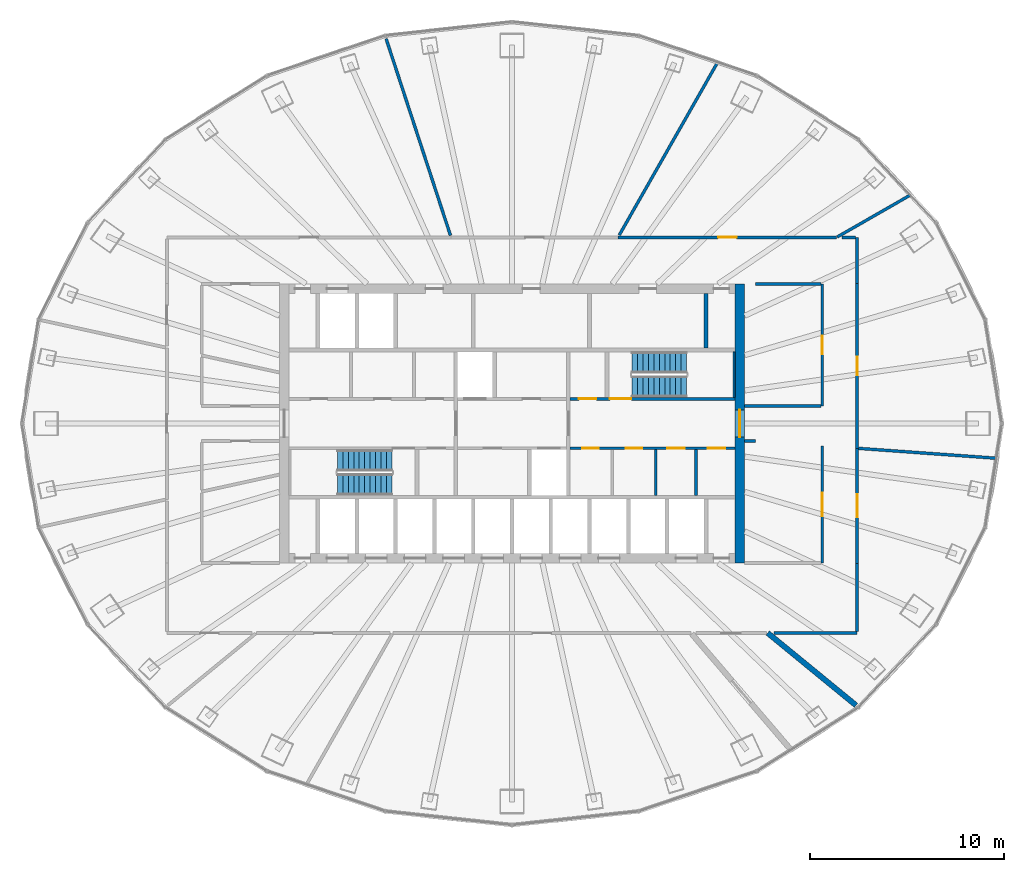
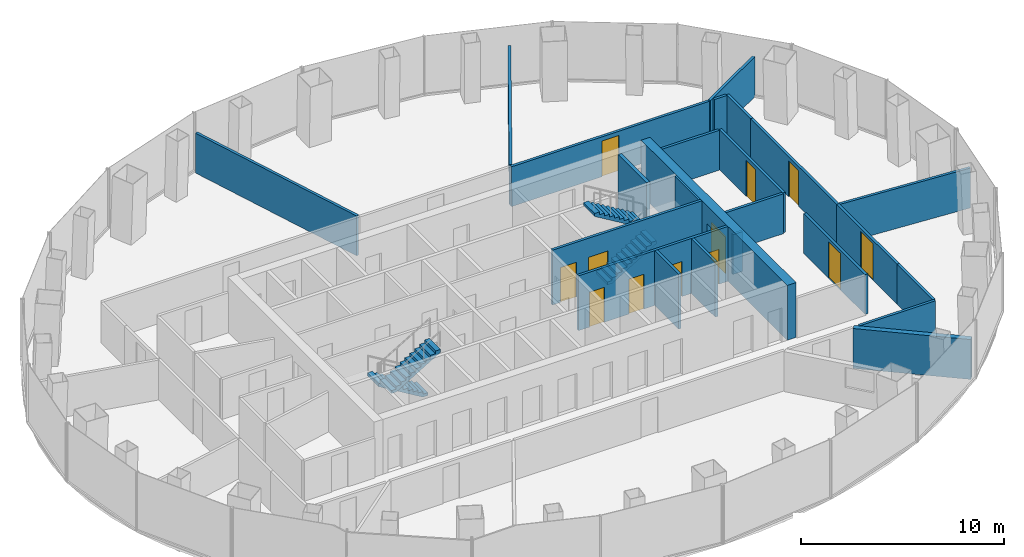
# One storey, part 10 of 11: 24 walls, 12 doors, 4 stair flights, 12 openings, 2 elements without a shape of their own.
"""IFC4 building model written with IfcOpenShell, lengths in metres."""

from ifc_helpers import new_model, si_unit, direction, frame, frame_2d, origin, place, context, subcontext, project, spatial, polyline, rectangle, outline, extrude, material, layer, layer_set, type_object, element, fill, aggregate, save


model = new_model("IFC4")

# Units and contexts
model_context = context("Model", 3, precision=1e-05, world=origin(), true_north=direction((0.0, 1.0)))
body_context = subcontext(model_context, "Body", "Model", "MODEL_VIEW")
ifc_project = project(units=[si_unit("LENGTHUNIT", "METRE"), si_unit("AREAUNIT", "SQUARE_METRE"), si_unit("VOLUMEUNIT", "CUBIC_METRE"), si_unit("PLANEANGLEUNIT", "RADIAN"), si_unit("MASSUNIT", "GRAM", prefix="KILO")], contexts=[model_context])

# Site, building, storey
site_placement = place(None, origin())
site = spatial("IfcSite", under=ifc_project, at=site_placement, CompositionType="ELEMENT")
building_placement = place(site_placement, origin())
building = spatial("IfcBuilding", under=site, at=building_placement, Name="Siaravel Broadcast Tower", CompositionType="ELEMENT")
storey_placement = place(building_placement, frame((0.0, 0.0, 126.699951171875)))
storey = spatial("IfcBuildingStorey", under=building, at=storey_placement, Name="L30", CompositionType="ELEMENT", Elevation=126.699951171875)

# Walls
ifc_material_1 = material(Name="Double-leaf acoustic partition", Category="gypsum")
ifc_layer_1 = layer(ifc_material_1, 0.280029296875)
ifc_layer_set_1 = layer_set([ifc_layer_1], Name="Double-leaf acoustic partition")
wall_type_1 = type_object("IfcWallType", Name="Acoustic double-leaf wall 280", PredefinedType="PARTITIONING", material=ifc_layer_set_1)
wall_1_placement = place(storey_placement, frame((13.18505859375, -10.800048828125, 0.0), z_axis=(0.0, 0.0, 1.0), x_axis=(0.773609752, -0.633662333, 0.0)))
element("IfcWall", 1, at=wall_1_placement, inside=storey, type_object=wall_type_1, Name="L30 partition 19", PredefinedType="PARTITIONING", context=body_context, shape_type="SweptSolid", body=[
    extrude(rectangle(XDim=5.885986328125, YDim=0.280029296875, at=frame_2d((2.94287109375, 0.0))), origin(), (0.0, 0.0, 1.0), 2.400146484375),
])
ifc_material_2 = material(Name="Concrete blockwork", Category="masonry")
ifc_layer_2 = layer(ifc_material_2, 0.14990234375)
ifc_layer_set_2 = layer_set([ifc_layer_2], Name="Concrete blockwork")
wall_type_2 = type_object("IfcWallType", Name="Core partition 150", PredefinedType="PARTITIONING", material=ifc_layer_set_2)
for number, where, z_axis, x_axis, name in (
    (2, (7.410888671875, -3.699951171875, 0.0), (0.0, 0.0, 1.0), (0.0, 1.0, 0.0), "L30 core partition PSE1"),
    (3, (9.492919921875, -3.699951171875, 0.0), (0.0, 0.0, 1.0), (0.0, 1.0, 0.0), "L30 core partition PSE2"),
):
    element("IfcWall", number, at=place(storey_placement, frame(where, z_axis=z_axis, x_axis=x_axis)), inside=storey, type_object=wall_type_2, Name=name, PredefinedType="PARTITIONING", context=body_context, shape_type="SweptSolid", body=[
        extrude(rectangle(XDim=2.349853515625, YDim=0.14990234375, at=frame_2d((1.1748046875, 0.0))), origin(), (0.0, 0.0, 1.0), 3.300048828125),
    ])

# Wall, opening, door
ifc_material_3 = material(Name="Concrete C60/75", Category="concrete")
ifc_layer_3 = layer(ifc_material_3, 0.5)
ifc_layer_set_3 = layer_set([ifc_layer_3], Name="Concrete C60/75")
wall_type_3 = type_object("IfcWallType", Name="Core wall 500", PredefinedType="SHEAR", material=ifc_layer_set_3)
wall_2_placement = place(storey_placement, frame((11.75, -7.199951171875, 0.0), z_axis=(0.0, 0.0, 1.0), x_axis=(0.0, 1.0, 0.0)))
wall_2 = element("IfcWall", 4, at=wall_2_placement, inside=storey, type_object=wall_type_3, Name="L30 core wall OE", PredefinedType="SHEAR", context=body_context, shape_type="SweptSolid", body=[
    extrude(rectangle(XDim=14.39990234375, YDim=0.5, at=frame_2d((7.199951171875, 0.0))), origin(), (0.0, 0.0, 1.0), 3.300048828125),
])
opening_1_placement = place(wall_2_placement, frame((6.5, 0.0, 0.0)))
opening_1 = element("IfcOpeningElement", 5, at=opening_1_placement, cuts=wall_2, Name="Opening L30-DX-E", PredefinedType="OPENING", context=body_context, shape_type="SweptSolid", body=[
    extrude(rectangle(XDim=1.39990234375, YDim=2.199951171875, at=frame_2d((0.699951171875, 1.10009765625))), frame((0.0, 0.260009765625, 0.0), z_axis=(0.0, -1.0, 0.0), x_axis=(1.0, 0.0, 0.0)), (0.0, 0.0, 1.0), 0.52001953125),
])
ifc_material_4 = material(Name="Steel", Category="steel")
door_type_1 = type_object("IfcDoorType", Name="Core exit door 1400", OperationType="DOUBLE_DOOR_SINGLE_SWING", PredefinedType="DOOR", material=ifc_material_4)
door_1_placement = place(opening_1_placement, origin())
door_1 = element("IfcDoor", 6, at=door_1_placement, inside=storey, type_object=door_type_1, Name="L30 door DX-E", OperationType="DOUBLE_DOOR_SINGLE_SWING", OverallHeight=2.199951171875, OverallWidth=1.39990234375, PredefinedType="DOOR", context=body_context, shape_type="SweptSolid", body=[
    extrude(rectangle(XDim=1.39990234375, YDim=2.199951171875, at=frame_2d((0.699951171875, 1.10009765625))), frame((0.0, 0.02490234375, 0.0), z_axis=(0.0, -1.0, 0.0), x_axis=(1.0, 0.0, 0.0)), (0.0, 0.0, 1.0), 0.050048828125),
])
fill(opening_1, door_1)

# Wall, openings, doors
ifc_material_5 = material(Name="Gypsum board partition", Category="gypsum")
ifc_layer_4 = layer(ifc_material_5, 0.14990234375)
ifc_layer_set_4 = layer_set([ifc_layer_4], Name="Gypsum board partition")
wall_type_4 = type_object("IfcWallType", Name="Corridor wall 150", PredefinedType="PARTITIONING", material=ifc_layer_set_4)
wall_3_placement = place(storey_placement, frame((3.0, -1.27490234375, 0.0), z_axis=(0.0, 0.0, 1.0), x_axis=(1.0, 0.0, 0.0)))
wall_3 = element("IfcWall", 7, at=wall_3_placement, inside=storey, type_object=wall_type_4, Name="L30 core partition CSE", PredefinedType="PARTITIONING", context=body_context, shape_type="SweptSolid", body=[
    extrude(rectangle(XDim=8.5, YDim=0.14990234375, at=frame_2d((4.25, 0.0))), origin(), (0.0, 0.0, 1.0), 3.300048828125),
])
opening_2_placement = place(wall_3_placement, frame((0.62158203125, 0.0, 0.0)))
opening_2 = element("IfcOpeningElement", 8, at=opening_2_placement, cuts=wall_3, Name="Opening L30-DSE0", PredefinedType="OPENING", context=body_context, shape_type="SweptSolid", body=[
    extrude(rectangle(XDim=0.85009765625, YDim=2.10009765625, at=frame_2d((0.425048828125, 1.050048828125))), frame((0.0, 0.0849609375, 0.0), z_axis=(0.0, -1.0, 0.0), x_axis=(1.0, 0.0, 0.0)), (0.0, 0.0, 1.0), 0.169921875),
])
opening_3_placement = place(wall_3_placement, frame((2.864501953125, 0.0, 0.0)))
opening_3 = element("IfcOpeningElement", 9, at=opening_3_placement, cuts=wall_3, Name="Opening L30-DSE1", PredefinedType="OPENING", context=body_context, shape_type="SweptSolid", body=[
    extrude(rectangle(XDim=0.85009765625, YDim=2.10009765625, at=frame_2d((0.425048828125, 1.050048828125))), frame((0.0, 0.0849609375, 0.0), z_axis=(0.0, -1.0, 0.0), x_axis=(1.0, 0.0, 0.0)), (0.0, 0.0, 1.0), 0.169921875),
])
opening_4_placement = place(wall_3_placement, frame((5.001953125, 0.0, 0.0)))
opening_4 = element("IfcOpeningElement", 10, at=opening_4_placement, cuts=wall_3, Name="Opening L30-DSE2", PredefinedType="OPENING", context=body_context, shape_type="SweptSolid", body=[
    extrude(rectangle(XDim=0.89990234375, YDim=2.10009765625, at=frame_2d((0.449951171875, 1.050048828125))), frame((0.0, 0.0849609375, 0.0), z_axis=(0.0, -1.0, 0.0), x_axis=(1.0, 0.0, 0.0)), (0.0, 0.0, 1.0), 0.169921875),
])
opening_5_placement = place(wall_3_placement, frame((7.083984375, 0.0, 0.0)))
opening_5 = element("IfcOpeningElement", 11, at=opening_5_placement, cuts=wall_3, Name="Opening L30-DSE3", PredefinedType="OPENING", context=body_context, shape_type="SweptSolid", body=[
    extrude(rectangle(XDim=0.89990234375, YDim=2.10009765625, at=frame_2d((0.449951171875, 1.050048828125))), frame((0.0, 0.0849609375, 0.0), z_axis=(0.0, -1.0, 0.0), x_axis=(1.0, 0.0, 0.0)), (0.0, 0.0, 1.0), 0.169921875),
])
ifc_material_6 = material(Name="Timber veneer", Category="wood")
door_type_2 = type_object("IfcDoorType", Name="Core room door 900", OperationType="SINGLE_SWING_LEFT", PredefinedType="DOOR", material=ifc_material_6)
door_2_placement = place(opening_4_placement, origin())
door_2 = element("IfcDoor", 12, at=door_2_placement, inside=storey, type_object=door_type_2, Name="L30 door DSE2", OperationType="SINGLE_SWING_LEFT", OverallHeight=2.10009765625, OverallWidth=0.89990234375, PredefinedType="DOOR", context=body_context, shape_type="SweptSolid", body=[
    extrude(rectangle(XDim=0.89990234375, YDim=2.10009765625, at=frame_2d((0.449951171875, 1.050048828125))), frame((0.0, 0.02490234375, 0.0), z_axis=(0.0, -1.0, 0.0), x_axis=(1.0, 0.0, 0.0)), (0.0, 0.0, 1.0), 0.050048828125),
])
fill(opening_4, door_2)
door_3_placement = place(opening_5_placement, origin())
door_3 = element("IfcDoor", 13, at=door_3_placement, inside=storey, type_object=door_type_2, Name="L30 door DSE3", OperationType="SINGLE_SWING_LEFT", OverallHeight=2.10009765625, OverallWidth=0.89990234375, PredefinedType="DOOR", context=body_context, shape_type="SweptSolid", body=[
    extrude(rectangle(XDim=0.89990234375, YDim=2.10009765625, at=frame_2d((0.449951171875, 1.050048828125))), frame((0.0, 0.02490234375, 0.0), z_axis=(0.0, -1.0, 0.0), x_axis=(1.0, 0.0, 0.0)), (0.0, 0.0, 1.0), 0.050048828125),
])
fill(opening_5, door_3)
door_type_3 = type_object("IfcDoorType", Name="Core toilet door 850", OperationType="SINGLE_SWING_LEFT", PredefinedType="DOOR", material=ifc_material_6)
door_4_placement = place(opening_2_placement, origin())
door_4 = element("IfcDoor", 14, at=door_4_placement, inside=storey, type_object=door_type_3, Name="L30 door DSE0", OperationType="SINGLE_SWING_LEFT", OverallHeight=2.10009765625, OverallWidth=0.85009765625, PredefinedType="DOOR", context=body_context, shape_type="SweptSolid", body=[
    extrude(rectangle(XDim=0.85009765625, YDim=2.10009765625, at=frame_2d((0.425048828125, 1.050048828125))), frame((0.0, 0.02490234375, 0.0), z_axis=(0.0, -1.0, 0.0), x_axis=(1.0, 0.0, 0.0)), (0.0, 0.0, 1.0), 0.050048828125),
])
fill(opening_2, door_4)
door_5_placement = place(opening_3_placement, origin())
door_5 = element("IfcDoor", 15, at=door_5_placement, inside=storey, type_object=door_type_3, Name="L30 door DSE1", OperationType="SINGLE_SWING_LEFT", OverallHeight=2.10009765625, OverallWidth=0.85009765625, PredefinedType="DOOR", context=body_context, shape_type="SweptSolid", body=[
    extrude(rectangle(XDim=0.85009765625, YDim=2.10009765625, at=frame_2d((0.425048828125, 1.050048828125))), frame((0.0, 0.02490234375, 0.0), z_axis=(0.0, -1.0, 0.0), x_axis=(1.0, 0.0, 0.0)), (0.0, 0.0, 1.0), 0.050048828125),
])
fill(opening_3, door_5)

# Wall, opening, door
wall_4_placement = place(storey_placement, frame((16.73779296875, 9.60009765625, 0.0), z_axis=(0.0, 0.0, 1.0), x_axis=(-1.0, 0.0, 0.0)))
wall_4 = element("IfcWall", 16, at=wall_4_placement, inside=storey, type_object=wall_type_4, Name="L30 partition 3", PredefinedType="PARTITIONING", context=body_context, shape_type="SweptSolid", body=[
    extrude(rectangle(XDim=11.272705078125, YDim=0.14990234375, at=frame_2d((5.63623046875, 0.0))), origin(), (0.0, 0.0, 1.0), 2.400146484375),
])
opening_6_placement = place(wall_4_placement, frame((5.161376953125, 0.0, 0.0)))
opening_6 = element("IfcOpeningElement", 17, at=opening_6_placement, cuts=wall_4, Name="Opening L30-005", PredefinedType="OPENING", context=body_context, shape_type="SweptSolid", body=[
    extrude(rectangle(XDim=0.949951171875, YDim=2.14990234375, at=frame_2d((0.47509765625, 1.074951171875))), frame((0.0, 0.0849609375, 0.0), z_axis=(0.0, -1.0, 0.0), x_axis=(1.0, 0.0, 0.0)), (0.0, 0.0, 1.0), 0.169921875),
])
door_type_4 = type_object("IfcDoorType", Name="Office door 950", OperationType="SINGLE_SWING_LEFT", PredefinedType="DOOR", material=ifc_material_6)
door_6_placement = place(opening_6_placement, origin())
door_6 = element("IfcDoor", 18, at=door_6_placement, inside=storey, type_object=door_type_4, Name="L30 door to Design studio", OperationType="SINGLE_SWING_LEFT", OverallHeight=2.14990234375, OverallWidth=0.949951171875, PredefinedType="DOOR", context=body_context, shape_type="SweptSolid", body=[
    extrude(rectangle(XDim=0.949951171875, YDim=2.14990234375, at=frame_2d((0.47509765625, 1.074951171875))), frame((0.0, 0.02490234375, 0.0), z_axis=(0.0, -1.0, 0.0), x_axis=(1.0, 0.0, 0.0)), (0.0, 0.0, 1.0), 0.050048828125),
])
fill(opening_6, door_6)

wall_5_placement = place(storey_placement, frame((17.800048828125, -1.275634765625, 0.0), z_axis=(0.0, 0.0, 1.0), x_axis=(0.0, 1.0, 0.0)))
wall_5 = element("IfcWall", 19, at=wall_5_placement, inside=storey, type_object=wall_type_4, Name="L30 partition 8", PredefinedType="PARTITIONING", context=body_context, shape_type="SweptSolid", body=[
    extrude(rectangle(XDim=8.487548828125, YDim=0.14990234375, at=frame_2d((4.24365234375, 0.0))), origin(), (0.0, 0.0, 1.0), 2.400146484375),
])
opening_7_placement = place(wall_5_placement, frame((3.768798828125, 0.0, 0.0)))
opening_7 = element("IfcOpeningElement", 20, at=opening_7_placement, cuts=wall_5, Name="Opening L30-004", PredefinedType="OPENING", context=body_context, shape_type="SweptSolid", body=[
    extrude(rectangle(XDim=0.949951171875, YDim=2.14990234375, at=frame_2d((0.47509765625, 1.074951171875))), frame((0.0, 0.0849609375, 0.0), z_axis=(0.0, -1.0, 0.0), x_axis=(1.0, 0.0, 0.0)), (0.0, 0.0, 1.0), 0.169921875),
])
door_7_placement = place(opening_7_placement, origin())
door_7 = element("IfcDoor", 21, at=door_7_placement, inside=storey, type_object=door_type_4, Name="L30 door to Design studio", OperationType="SINGLE_SWING_RIGHT", OverallHeight=2.14990234375, OverallWidth=0.949951171875, PredefinedType="DOOR", context=body_context, shape_type="SweptSolid", body=[
    extrude(rectangle(XDim=0.949951171875, YDim=2.14990234375, at=frame_2d((0.47509765625, 1.074951171875))), frame((0.0, 0.02490234375, 0.0), z_axis=(0.0, -1.0, 0.0), x_axis=(1.0, 0.0, 0.0)), (0.0, 0.0, 1.0), 0.050048828125),
])
fill(opening_7, door_7)

wall_6_placement = place(storey_placement, frame((16.0, 7.199951171875, 0.0), z_axis=(0.0, 0.0, 1.0), x_axis=(0.0, -1.0, 0.0)))
wall_6 = element("IfcWall", 22, at=wall_6_placement, inside=storey, type_object=wall_type_4, Name="L30 partition 15", PredefinedType="PARTITIONING", context=body_context, shape_type="SweptSolid", body=[
    extrude(rectangle(XDim=6.300048828125, YDim=0.14990234375, at=frame_2d((3.14990234375, 0.0))), origin(), (0.0, 0.0, 1.0), 2.400146484375),
])
opening_8_placement = place(wall_6_placement, frame((2.675048828125, 0.0, 0.0)))
opening_8 = element("IfcOpeningElement", 23, at=opening_8_placement, cuts=wall_6, Name="Opening L30-003", PredefinedType="OPENING", context=body_context, shape_type="SweptSolid", body=[
    extrude(rectangle(XDim=0.949951171875, YDim=2.14990234375, at=frame_2d((0.47509765625, 1.074951171875))), frame((0.0, 0.0849609375, 0.0), z_axis=(0.0, -1.0, 0.0), x_axis=(1.0, 0.0, 0.0)), (0.0, 0.0, 1.0), 0.169921875),
])
door_8_placement = place(opening_8_placement, origin())
door_8 = element("IfcDoor", 24, at=door_8_placement, inside=storey, type_object=door_type_4, Name="L30 door to Design studio", OperationType="SINGLE_SWING_LEFT", OverallHeight=2.14990234375, OverallWidth=0.949951171875, PredefinedType="DOOR", context=body_context, shape_type="SweptSolid", body=[
    extrude(rectangle(XDim=0.949951171875, YDim=2.14990234375, at=frame_2d((0.47509765625, 1.074951171875))), frame((0.0, 0.02490234375, 0.0), z_axis=(0.0, -1.0, 0.0), x_axis=(1.0, 0.0, 0.0)), (0.0, 0.0, 1.0), 0.050048828125),
])
fill(opening_8, door_8)

wall_7_placement = place(storey_placement, frame((16.0, -1.146484375, 0.0), z_axis=(0.0, 0.0, 1.0), x_axis=(0.0, -1.0, 0.0)))
wall_7 = element("IfcWall", 25, at=wall_7_placement, inside=storey, type_object=wall_type_4, Name="L30 partition 16", PredefinedType="PARTITIONING", context=body_context, shape_type="SweptSolid", body=[
    extrude(rectangle(XDim=6.053466796875, YDim=0.14990234375, at=frame_2d((3.02685546875, 0.0))), origin(), (0.0, 0.0, 1.0), 2.400146484375),
])
opening_9_placement = place(wall_7_placement, frame((2.4267578125, 0.0, 0.0)))
opening_9 = element("IfcOpeningElement", 26, at=opening_9_placement, cuts=wall_7, Name="Opening L30-001", PredefinedType="OPENING", context=body_context, shape_type="SweptSolid", body=[
    extrude(rectangle(XDim=1.199951171875, YDim=2.199951171875, at=frame_2d((0.60009765625, 1.10009765625))), frame((0.0, 0.0849609375, 0.0), z_axis=(0.0, -1.0, 0.0), x_axis=(1.0, 0.0, 0.0)), (0.0, 0.0, 1.0), 0.169921875),
])
door_type_5 = type_object("IfcDoorType", Name="Office double door 1200", OperationType="DOUBLE_DOOR_SINGLE_SWING", PredefinedType="DOOR", material=ifc_material_6)
door_9_placement = place(opening_9_placement, origin())
door_9 = element("IfcDoor", 27, at=door_9_placement, inside=storey, type_object=door_type_5, Name="L30 door to Open plan production office", OperationType="DOUBLE_DOOR_SINGLE_SWING", OverallHeight=2.199951171875, OverallWidth=1.199951171875, PredefinedType="DOOR", context=body_context, shape_type="SweptSolid", body=[
    extrude(rectangle(XDim=1.199951171875, YDim=2.199951171875, at=frame_2d((0.60009765625, 1.10009765625))), frame((0.0, 0.02490234375, 0.0), z_axis=(0.0, -1.0, 0.0), x_axis=(1.0, 0.0, 0.0)), (0.0, 0.0, 1.0), 0.050048828125),
])
fill(opening_9, door_9)

wall_8_placement = place(storey_placement, frame((17.800048828125, -7.2119140625, 0.0), z_axis=(0.0, 0.0, 1.0), x_axis=(0.0, 1.0, 0.0)))
wall_8 = element("IfcWall", 28, at=wall_8_placement, inside=storey, type_object=wall_type_4, Name="L30 partition 17", PredefinedType="PARTITIONING", context=body_context, shape_type="SweptSolid", body=[
    extrude(rectangle(XDim=5.936279296875, YDim=0.14990234375, at=frame_2d((2.96826171875, 0.0))), origin(), (0.0, 0.0, 1.0), 2.400146484375),
])
opening_10_placement = place(wall_8_placement, frame((2.3681640625, 0.0, 0.0)))
opening_10 = element("IfcOpeningElement", 29, at=opening_10_placement, cuts=wall_8, Name="Opening L30-002", PredefinedType="OPENING", context=body_context, shape_type="SweptSolid", body=[
    extrude(rectangle(XDim=1.199951171875, YDim=2.199951171875, at=frame_2d((0.60009765625, 1.10009765625))), frame((0.0, 0.0849609375, 0.0), z_axis=(0.0, -1.0, 0.0), x_axis=(1.0, 0.0, 0.0)), (0.0, 0.0, 1.0), 0.169921875),
])
door_10_placement = place(opening_10_placement, origin())
door_10 = element("IfcDoor", 30, at=door_10_placement, inside=storey, type_object=door_type_5, Name="L30 door to Open plan production office", OperationType="DOUBLE_DOOR_SINGLE_SWING", OverallHeight=2.199951171875, OverallWidth=1.199951171875, PredefinedType="DOOR", context=body_context, shape_type="SweptSolid", body=[
    extrude(rectangle(XDim=1.199951171875, YDim=2.199951171875, at=frame_2d((0.60009765625, 1.10009765625))), frame((0.0, 0.02490234375, 0.0), z_axis=(0.0, -1.0, 0.0), x_axis=(1.0, 0.0, 0.0)), (0.0, 0.0, 1.0), 0.050048828125),
])
fill(opening_10, door_10)

# Walls
wall_9_placement = place(storey_placement, frame((13.49951171875, -10.800048828125, 0.0), z_axis=(0.0, 0.0, 1.0), x_axis=(1.0, 0.0, 0.0)))
element("IfcWall", 31, at=wall_9_placement, inside=storey, type_object=wall_type_4, Name="L30 partition 21", PredefinedType="PARTITIONING", context=body_context, shape_type="SweptSolid", body=[
    extrude(rectangle(XDim=4.300537109375, YDim=0.14990234375, at=frame_2d((2.150390625, 0.0))), origin(), (0.0, 0.0, 1.0), 2.400146484375),
])
wall_10_placement = place(storey_placement, frame((15.923095703125, 0.89990234375, 0.0), z_axis=(0.0, 0.0, 1.0), x_axis=(-1.0, 0.0, 0.0)))
element("IfcWall", 32, at=wall_10_placement, inside=storey, type_object=wall_type_4, Name="L30 partition 30", PredefinedType="PARTITIONING", context=body_context, shape_type="SweptSolid", body=[
    extrude(rectangle(XDim=3.923095703125, YDim=0.14990234375, at=frame_2d((1.96142578125, 0.0))), origin(), (0.0, 0.0, 1.0), 2.400146484375),
])
wall_11_placement = place(storey_placement, frame((17.800048828125, -10.722900390625, 0.0), z_axis=(0.0, 0.0, 1.0), x_axis=(0.0, 1.0, 0.0)))
element("IfcWall", 33, at=wall_11_placement, inside=storey, type_object=wall_type_4, Name="L30 partition 35", PredefinedType="PARTITIONING", context=body_context, shape_type="SweptSolid", body=[
    extrude(rectangle(XDim=3.510009765625, YDim=0.14990234375, at=frame_2d((1.7548828125, 0.0))), origin(), (0.0, 0.0, 1.0), 2.400146484375),
])
wall_12_placement = place(storey_placement, frame((12.553466796875, 7.199951171875, 0.0), z_axis=(0.0, 0.0, 1.0), x_axis=(1.0, 0.0, 0.0)))
element("IfcWall", 34, at=wall_12_placement, inside=storey, type_object=wall_type_4, Name="L30 partition 36", PredefinedType="PARTITIONING", context=body_context, shape_type="SweptSolid", body=[
    extrude(rectangle(XDim=3.36962890625, YDim=0.14990234375, at=frame_2d((1.684814453125, 0.0))), origin(), (0.0, 0.0, 1.0), 2.400146484375),
])
wall_13_placement = place(storey_placement, frame((17.800048828125, 7.212890625, 0.0), z_axis=(0.0, 0.0, 1.0), x_axis=(0.0, 1.0, 0.0)))
element("IfcWall", 35, at=wall_13_placement, inside=storey, type_object=wall_type_4, Name="L30 partition 42", PredefinedType="PARTITIONING", context=body_context, shape_type="SweptSolid", body=[
    extrude(rectangle(XDim=2.38720703125, YDim=0.14990234375, at=frame_2d((1.193603515625, 0.0))), origin(), (0.0, 0.0, 1.0), 2.400146484375),
])
wall_14_placement = place(storey_placement, frame((17.722900390625, 9.60009765625, 0.0), z_axis=(0.0, 0.0, 1.0), x_axis=(-1.0, 0.0, 0.0)))
element("IfcWall", 36, at=wall_14_placement, inside=storey, type_object=wall_type_4, Name="L30 partition 43", PredefinedType="PARTITIONING", context=body_context, shape_type="SweptSolid", body=[
    extrude(rectangle(XDim=0.701416015625, YDim=0.14990234375, at=frame_2d((0.3505859375, 0.0))), origin(), (0.0, 0.0, 1.0), 2.400146484375),
])
wall_15_placement = place(storey_placement, frame((12.0, -0.89990234375, 0.0), z_axis=(0.0, 0.0, 1.0), x_axis=(1.0, 0.0, 0.0)))
element("IfcWall", 37, at=wall_15_placement, inside=storey, type_object=wall_type_4, Name="L30 partition 44", PredefinedType="PARTITIONING", context=body_context, shape_type="SweptSolid", body=[
    extrude(rectangle(XDim=0.55908203125, YDim=0.14990234375, at=frame_2d((0.279541015625, 0.0))), origin(), (0.0, 0.0, 1.0), 2.400146484375),
])
ifc_layer_5 = layer(ifc_material_5, 0.14990234375)
ifc_layer_set_5 = layer_set([ifc_layer_5], Name="Gypsum board partition")
wall_type_5 = type_object("IfcWallType", Name="Room partition 150", PredefinedType="PARTITIONING", material=ifc_layer_set_5)
wall_16_placement = place(storey_placement, frame((-6.490234375, 19.8408203125, 0.0), z_axis=(0.0, 0.0, 1.0), x_axis=(0.310902644, -0.950441763, 0.0)))
element("IfcWall", 38, at=wall_16_placement, inside=storey, type_object=wall_type_5, Name="L30 partition 4", PredefinedType="PARTITIONING", context=body_context, shape_type="SweptSolid", body=[
    extrude(rectangle(XDim=10.66943359375, YDim=0.14990234375, at=frame_2d((5.334716796875, 0.0))), origin(), (0.0, 0.0, 1.0), 2.400146484375),
])
wall_17_placement = place(storey_placement, frame((10.598388671875, 18.6171875, 0.0), z_axis=(0.0, 0.0, 1.0), x_axis=(-0.494739643, -0.869041245, 0.0)))
element("IfcWall", 39, at=wall_17_placement, inside=storey, type_object=wall_type_5, Name="L30 partition 5", PredefinedType="PARTITIONING", context=body_context, shape_type="SweptSolid", body=[
    extrude(rectangle(XDim=10.244873046875, YDim=0.14990234375, at=frame_2d((5.12255859375, 0.0))), origin(), (0.0, 0.0, 1.0), 2.400146484375),
])
wall_18_placement = place(storey_placement, frame((25.005615234375, -1.7919921875, 0.0), z_axis=(0.0, 0.0, 1.0), x_axis=(-0.997440983, 0.071494657, 0.0)))
element("IfcWall", 40, at=wall_18_placement, inside=storey, type_object=wall_type_5, Name="L30 partition 11", PredefinedType="PARTITIONING", context=body_context, shape_type="SweptSolid", body=[
    extrude(rectangle(XDim=7.147216796875, YDim=0.14990234375, at=frame_2d((3.57373046875, 0.0))), origin(), (0.0, 0.0, 1.0), 2.400146484375),
])
wall_19_placement = place(storey_placement, frame((20.552978515625, 11.7880859375, 0.0), z_axis=(0.0, 0.0, 1.0), x_axis=(-0.86746307, -0.497501581, 0.0)))
element("IfcWall", 41, at=wall_19_placement, inside=storey, type_object=wall_type_5, Name="L30 partition 22", PredefinedType="PARTITIONING", context=body_context, shape_type="SweptSolid", body=[
    extrude(rectangle(XDim=4.358642578125, YDim=0.14990234375, at=frame_2d((2.17919921875, 0.0))), origin(), (0.0, 0.0, 1.0), 2.400146484375),
])
ifc_layer_6 = layer(ifc_material_3, 0.10009765625)
ifc_layer_set_6 = layer_set([ifc_layer_6], Name="Concrete C60/75")
wall_type_6 = type_object("IfcWallType", Name="Shaft wall 100", PredefinedType="SHEAR", material=ifc_layer_set_6)
wall_20_placement = place(storey_placement, frame((11.449951171875, 1.35009765625, 0.0), z_axis=(0.0, 0.0, 1.0), x_axis=(0.0, 1.0, 0.0)))
element("IfcWall", 42, at=wall_20_placement, inside=storey, type_object=wall_type_6, Name="L30 core wall ST2E", PredefinedType="SHEAR", context=body_context, shape_type="SweptSolid", body=[
    extrude(rectangle(XDim=2.349853515625, YDim=0.10009765625, at=frame_2d((1.1748046875, 0.0))), origin(), (0.0, 0.0, 1.0), 3.300048828125),
])

# Wall, openings, doors
ifc_layer_7 = layer(ifc_material_3, 0.14990234375)
ifc_layer_set_7 = layer_set([ifc_layer_7], Name="Concrete C60/75")
wall_type_7 = type_object("IfcWallType", Name="Shaft wall 150", PredefinedType="SHEAR", material=ifc_layer_set_7)
wall_21_placement = place(storey_placement, frame((3.0, 1.27490234375, 0.0), z_axis=(0.0, 0.0, 1.0), x_axis=(1.0, 0.0, 0.0)))
wall_21 = element("IfcWall", 43, at=wall_21_placement, inside=storey, type_object=wall_type_7, Name="L30 core wall CNE", PredefinedType="SHEAR", context=body_context, shape_type="SweptSolid", body=[
    extrude(rectangle(XDim=8.5, YDim=0.14990234375, at=frame_2d((4.25, 0.0))), origin(), (0.0, 0.0, 1.0), 3.300048828125),
])
opening_11_placement = place(wall_21_placement, frame((2.050048828125, 0.0, 0.0)))
opening_11 = element("IfcOpeningElement", 44, at=opening_11_placement, cuts=wall_21, Name="Opening L30-DS-2", PredefinedType="OPENING", context=body_context, shape_type="SweptSolid", body=[
    extrude(rectangle(XDim=1.10009765625, YDim=2.14990234375, at=frame_2d((0.550048828125, 1.074951171875))), frame((0.0, 0.0849609375, 0.0), z_axis=(0.0, -1.0, 0.0), x_axis=(1.0, 0.0, 0.0)), (0.0, 0.0, 1.0), 0.169921875),
])
opening_12_placement = place(wall_21_placement, frame((0.449951171875, 0.0, 0.0)))
opening_12 = element("IfcOpeningElement", 45, at=opening_12_placement, cuts=wall_21, Name="Opening L30-DNE0", PredefinedType="OPENING", context=body_context, shape_type="SweptSolid", body=[
    extrude(rectangle(XDim=0.89990234375, YDim=2.10009765625, at=frame_2d((0.449951171875, 1.050048828125))), frame((0.0, 0.0849609375, 0.0), z_axis=(0.0, -1.0, 0.0), x_axis=(1.0, 0.0, 0.0)), (0.0, 0.0, 1.0), 0.169921875),
])
door_11_placement = place(opening_12_placement, origin())
door_11 = element("IfcDoor", 46, at=door_11_placement, inside=storey, type_object=door_type_2, Name="L30 door DNE0", OperationType="SINGLE_SWING_LEFT", OverallHeight=2.10009765625, OverallWidth=0.89990234375, PredefinedType="DOOR", context=body_context, shape_type="SweptSolid", body=[
    extrude(rectangle(XDim=0.89990234375, YDim=2.10009765625, at=frame_2d((0.449951171875, 1.050048828125))), frame((0.0, 0.02490234375, 0.0), z_axis=(0.0, -1.0, 0.0), x_axis=(1.0, 0.0, 0.0)), (0.0, 0.0, 1.0), 0.050048828125),
])
fill(opening_12, door_11)
door_type_6 = type_object("IfcDoorType", Name="Stair door 1100", OperationType="SINGLE_SWING_LEFT", PredefinedType="DOOR", material=ifc_material_4)
door_12_placement = place(opening_11_placement, origin())
door_12 = element("IfcDoor", 47, at=door_12_placement, inside=storey, type_object=door_type_6, Name="L30 door DS-2", OperationType="SINGLE_SWING_LEFT", OverallHeight=2.14990234375, OverallWidth=1.10009765625, PredefinedType="DOOR", context=body_context, shape_type="SweptSolid", body=[
    extrude(rectangle(XDim=1.10009765625, YDim=2.14990234375, at=frame_2d((0.550048828125, 1.074951171875))), frame((0.0, 0.02490234375, 0.0), z_axis=(0.0, -1.0, 0.0), x_axis=(1.0, 0.0, 0.0)), (0.0, 0.0, 1.0), 0.050048828125),
])
fill(opening_11, door_12)

# Wall
ifc_layer_8 = layer(ifc_material_3, 0.199951171875)
ifc_layer_set_8 = layer_set([ifc_layer_8], Name="Concrete C60/75")
wall_type_8 = type_object("IfcWallType", Name="Shaft wall 200", PredefinedType="SHEAR", material=ifc_layer_set_8)
wall_22_placement = place(storey_placement, frame((10.0, 3.89990234375, 0.0), z_axis=(0.0, 0.0, 1.0), x_axis=(0.0, 1.0, 0.0)))
element("IfcWall", 48, at=wall_22_placement, inside=storey, type_object=wall_type_8, Name="L30 core wall SWN10", PredefinedType="SHEAR", context=body_context, shape_type="SweptSolid", body=[
    extrude(rectangle(XDim=2.800048828125, YDim=0.199951171875, at=frame_2d((1.39990234375, 0.0))), origin(), (0.0, 0.0, 1.0), 3.300048828125),
])

# Stair, stair flights
ifc_material_7 = material(Name="Concrete C40/50", Category="concrete")
stair_type = type_object("IfcStairType", Name="Core exit stair", PredefinedType="HALF_TURN_STAIR", material=ifc_material_7)
stair_1_placement = place(storey_placement, origin())
stair_1 = element("IfcStair", 49, at=stair_1_placement, inside=storey, type_object=stair_type, Name="L30 Exit stair ST-1", PredefinedType="HALF_TURN_STAIR")
stair_flight_type = type_object("IfcStairFlightType", Name="Stair flight 1100", PredefinedType="STRAIGHT", material=ifc_material_7)
stair_flight_1_placement = place(storey_placement, frame((-6.199951171875, -1.89990234375, 0.0), z_axis=(0.0, 0.0, 1.0), x_axis=(-1.0, 0.0, 0.0)))
stair_flight_1 = element("IfcStairFlight", 50, at=stair_flight_1_placement, type_object=stair_flight_type, Name="ST-1 flight 1", NumberOfRisers=11, NumberOfTreads=10, PredefinedType="STRAIGHT", RiserHeight=0.1681818, TreadLength=0.28, context=body_context, shape_type="SweptSolid", body=[
    extrude(outline(polyline([(0.0, 0.0), (0.0, 0.168212890625), (0.280029296875, 0.168212890625), (0.280029296875, 0.33642578125), (0.56005859375, 0.33642578125), (0.56005859375, 0.504638671875), (0.840087890625, 0.504638671875), (0.840087890625, 0.672607421875), (1.1201171875, 0.672607421875), (1.1201171875, 0.8408203125), (1.39990234375, 0.8408203125), (1.39990234375, 1.009033203125), (1.679931640625, 1.009033203125), (1.679931640625, 1.17724609375), (1.9599609375, 1.17724609375), (1.9599609375, 1.345458984375), (2.239990234375, 1.345458984375), (2.239990234375, 1.513671875), (2.52001953125, 1.513671875), (2.52001953125, 1.681884765625), (2.800048828125, 1.681884765625), (2.800048828125, 1.85009765625), (2.800048828125, 1.5068359375), (0.291015625, 0.0), (0.0, 0.0)])), frame((0.0, 0.550048828125, 0.0), z_axis=(0.0, -1.0, 0.0), x_axis=(1.0, 0.0, 0.0)), (0.0, 0.0, 1.0), 1.10009765625),
])
stair_flight_2_placement = place(storey_placement, frame((-9.0, -3.14990234375, 1.85009765625), z_axis=(0.0, 0.0, 1.0), x_axis=(1.0, 0.0, 0.0)))
stair_flight_2 = element("IfcStairFlight", 51, at=stair_flight_2_placement, type_object=stair_flight_type, Name="ST-1 flight 2", NumberOfRisers=11, NumberOfTreads=10, PredefinedType="STRAIGHT", RiserHeight=0.1681818, TreadLength=0.28, context=body_context, shape_type="SweptSolid", body=[
    extrude(outline(polyline([(0.0, 0.0), (0.0, 0.168212890625), (0.280029296875, 0.168212890625), (0.280029296875, 0.33642578125), (0.56005859375, 0.33642578125), (0.56005859375, 0.504638671875), (0.840087890625, 0.504638671875), (0.840087890625, 0.672607421875), (1.1201171875, 0.672607421875), (1.1201171875, 0.8408203125), (1.39990234375, 0.8408203125), (1.39990234375, 1.009033203125), (1.679931640625, 1.009033203125), (1.679931640625, 1.17724609375), (1.9599609375, 1.17724609375), (1.9599609375, 1.345458984375), (2.239990234375, 1.345458984375), (2.239990234375, 1.513671875), (2.52001953125, 1.513671875), (2.52001953125, 1.681884765625), (2.800048828125, 1.681884765625), (2.800048828125, 1.85009765625), (2.800048828125, 1.5068359375), (0.291015625, 0.0), (0.0, 0.0)])), frame((0.0, 0.550048828125, 0.0), z_axis=(0.0, -1.0, 0.0), x_axis=(1.0, 0.0, 0.0)), (0.0, 0.0, 1.0), 1.10009765625),
])
aggregate(stair_1, [stair_flight_1, stair_flight_2])

stair_2_placement = place(storey_placement, origin())
stair_2 = element("IfcStair", 52, at=stair_2_placement, inside=storey, type_object=stair_type, Name="L30 Exit stair ST-2", PredefinedType="HALF_TURN_STAIR")
stair_flight_3_placement = place(storey_placement, frame((6.199951171875, 1.89990234375, 0.0), z_axis=(0.0, 0.0, 1.0), x_axis=(1.0, 0.0, 0.0)))
stair_flight_3 = element("IfcStairFlight", 53, at=stair_flight_3_placement, type_object=stair_flight_type, Name="ST-2 flight 1", NumberOfRisers=11, NumberOfTreads=10, PredefinedType="STRAIGHT", RiserHeight=0.1681818, TreadLength=0.28, context=body_context, shape_type="SweptSolid", body=[
    extrude(outline(polyline([(0.0, 0.0), (0.0, 0.168212890625), (0.280029296875, 0.168212890625), (0.280029296875, 0.33642578125), (0.56005859375, 0.33642578125), (0.56005859375, 0.504638671875), (0.840087890625, 0.504638671875), (0.840087890625, 0.672607421875), (1.1201171875, 0.672607421875), (1.1201171875, 0.8408203125), (1.39990234375, 0.8408203125), (1.39990234375, 1.009033203125), (1.679931640625, 1.009033203125), (1.679931640625, 1.17724609375), (1.9599609375, 1.17724609375), (1.9599609375, 1.345458984375), (2.239990234375, 1.345458984375), (2.239990234375, 1.513671875), (2.52001953125, 1.513671875), (2.52001953125, 1.681884765625), (2.800048828125, 1.681884765625), (2.800048828125, 1.85009765625), (2.800048828125, 1.5068359375), (0.291015625, 0.0), (0.0, 0.0)])), frame((0.0, 0.550048828125, 0.0), z_axis=(0.0, -1.0, 0.0), x_axis=(1.0, 0.0, 0.0)), (0.0, 0.0, 1.0), 1.10009765625),
])
stair_flight_4_placement = place(storey_placement, frame((9.0, 3.14990234375, 1.85009765625), z_axis=(0.0, 0.0, 1.0), x_axis=(-1.0, 0.0, 0.0)))
stair_flight_4 = element("IfcStairFlight", 54, at=stair_flight_4_placement, type_object=stair_flight_type, Name="ST-2 flight 2", NumberOfRisers=11, NumberOfTreads=10, PredefinedType="STRAIGHT", RiserHeight=0.1681818, TreadLength=0.28, context=body_context, shape_type="SweptSolid", body=[
    extrude(outline(polyline([(0.0, 0.0), (0.0, 0.168212890625), (0.280029296875, 0.168212890625), (0.280029296875, 0.33642578125), (0.56005859375, 0.33642578125), (0.56005859375, 0.504638671875), (0.840087890625, 0.504638671875), (0.840087890625, 0.672607421875), (1.1201171875, 0.672607421875), (1.1201171875, 0.8408203125), (1.39990234375, 0.8408203125), (1.39990234375, 1.009033203125), (1.679931640625, 1.009033203125), (1.679931640625, 1.17724609375), (1.9599609375, 1.17724609375), (1.9599609375, 1.345458984375), (2.239990234375, 1.345458984375), (2.239990234375, 1.513671875), (2.52001953125, 1.513671875), (2.52001953125, 1.681884765625), (2.800048828125, 1.681884765625), (2.800048828125, 1.85009765625), (2.800048828125, 1.5068359375), (0.291015625, 0.0), (0.0, 0.0)])), frame((0.0, 0.550048828125, 0.0), z_axis=(0.0, -1.0, 0.0), x_axis=(1.0, 0.0, 0.0)), (0.0, 0.0, 1.0), 1.10009765625),
])
aggregate(stair_2, [stair_flight_3, stair_flight_4])

save(model, "model.ifc")
